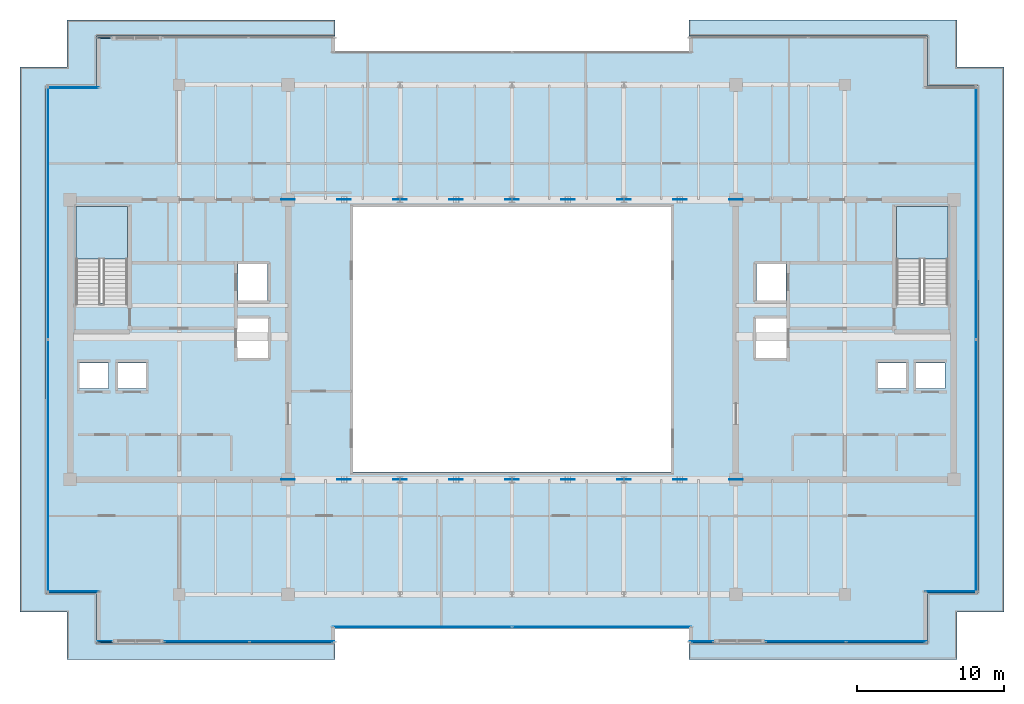
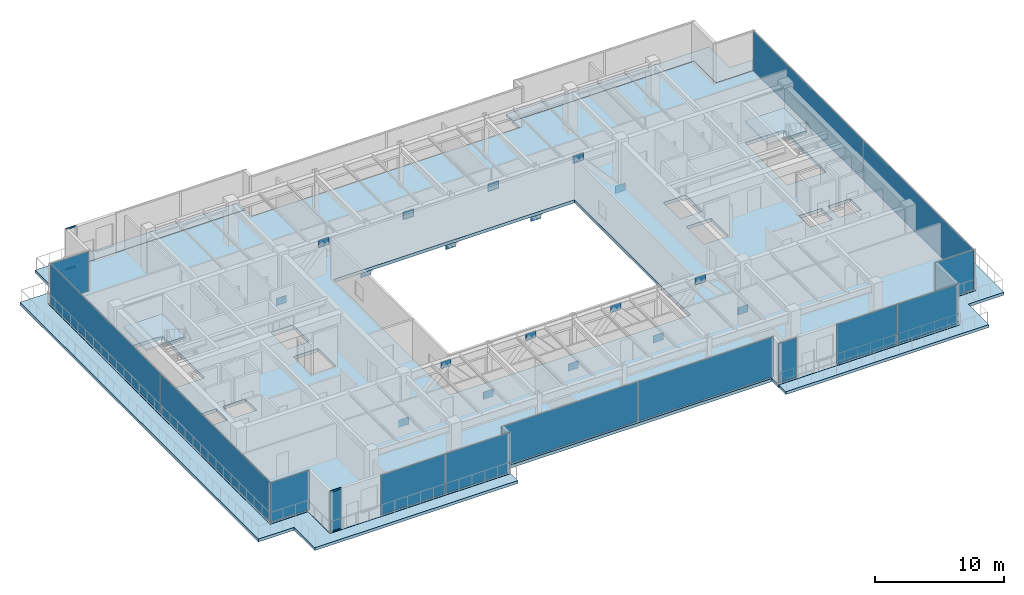
# One storey, part 25 of 34: 33 plates, 5 slabs, 4 members, 13 elements without a shape of their own.
"""IFC4 building model written with IfcOpenShell, lengths in metres."""

from ifc_helpers import new_model, si_unit, direction, frame, origin, origin_2d, place, context, subcontext, project, spatial, polyline, rectangle, hollow_rectangle, outline, extrude, source, transform, mapped, material, layer, layer_set, material_profile, profile_set, type_object, type_shapes, element, aggregate, save


model = new_model("IFC4")

# Units and contexts
model_context = context("Model", 3, precision=1e-05, world=origin(), true_north=direction((0.0, 1.0)))
body_context = subcontext(model_context, "Body", "Model", "MODEL_VIEW")
ifc_project = project(units=[si_unit("LENGTHUNIT", "METRE"), si_unit("AREAUNIT", "SQUARE_METRE"), si_unit("VOLUMEUNIT", "CUBIC_METRE"), si_unit("PLANEANGLEUNIT", "RADIAN"), si_unit("MASSUNIT", "GRAM", prefix="KILO")], contexts=[model_context])

# Site, building, storey
site_placement = place(None, origin())
site = spatial("IfcSite", under=ifc_project, at=site_placement, CompositionType="ELEMENT")
building_placement = place(site_placement, origin())
building = spatial("IfcBuilding", under=site, at=building_placement, Name="Haelvirn Gate Laboratories", CompositionType="ELEMENT")
storey_placement = place(building_placement, frame((0.0, 0.0, 297.60009765625)))
storey = spatial("IfcBuildingStorey", under=building, at=storey_placement, Name="L71", CompositionType="ELEMENT", Elevation=297.60009765625)

# Curtain wall, members
ifc_material_1 = material(Name="Anodised bronze unitised aluminium & triple low-E glass", Category="aluminium")
ifc_layer_1 = layer(ifc_material_1, 0.176025390625, Name="CW-SYS-4")
ifc_layer_set_1 = layer_set([ifc_layer_1], Name="Anodised bronze unitised aluminium & triple low-E glass")
curtain_wall_type_1 = type_object("IfcCurtainWallType", Name="CW-SYS-4", PredefinedType="NOTDEFINED", material=ifc_layer_set_1)
curtain_wall_1_placement = place(storey_placement, origin())
curtain_wall_1 = element("IfcCurtainWall", 1, at=curtain_wall_1_placement, inside=storey, type_object=curtain_wall_type_1, Name="L71 Unitised Curtain Wall CW-L71-P0-E00-1", PredefinedType="NOTDEFINED")
ifc_material_2 = material(Name="Extruded aluminium 6063-T6 (anodised bronze)", Category="aluminium")
ifc_material_profile = material_profile(ifc_material_2, hollow_rectangle(XDim=0.06494140625, YDim=0.139892578125, WallThickness=0.00390625, at=origin_2d()), Name="CWT-140x65x4")
ifc_profile_set = profile_set([ifc_material_profile], Name="Extruded aluminium 6063-T6 (anodised bronze)")
member_type = type_object("IfcMemberType", Name="CWT-T140", PredefinedType="USERDEFINED", material=ifc_profile_set)
shared_shape_1 = source(origin(), body_context, "Body", "SweptSolid", [
    extrude(hollow_rectangle(XDim=0.06494140625, YDim=0.139892578125, WallThickness=0.00390625, at=origin_2d()), origin(), (0.0, 0.0, 1.0), 0.965087890625),
])
member_1_placement = place(storey_placement, frame((9.27001953125, 3.800048828125, 0.032470703125), z_axis=(1.0, 0.0, 0.0), x_axis=(0.0, 1.0, 0.0)))
member_1 = element("IfcMember", 2, at=member_1_placement, type_object=member_type, Name="CW4 transom 1.1", ObjectType="TRANSOM", PredefinedType="USERDEFINED", context=body_context, shape_type="MappedRepresentation", body=[
    mapped(shared_shape_1, transform((0.0, 0.0, 0.0), scale=1.0)),
])
member_2_placement = place(storey_placement, frame((9.27001953125, 3.800048828125, 3.867431640625), z_axis=(1.0, 0.0, 0.0), x_axis=(0.0, 1.0, 0.0)))
member_2 = element("IfcMember", 3, at=member_2_placement, type_object=member_type, Name="CW4 transom 1.2", ObjectType="TRANSOM", PredefinedType="USERDEFINED", context=body_context, shape_type="MappedRepresentation", body=[
    mapped(shared_shape_1, transform((0.0, 0.0, 0.0), scale=1.0)),
])

curtain_wall_2_placement = place(storey_placement, origin())
curtain_wall_2 = element("IfcCurtainWall", 4, at=curtain_wall_2_placement, inside=storey, type_object=curtain_wall_type_1, Name="L71 Unitised Curtain Wall CW-L71-P0-E14-1", PredefinedType="NOTDEFINED")
shared_shape_2 = source(origin(), body_context, "Body", "SweptSolid", [
    extrude(hollow_rectangle(XDim=0.06494140625, YDim=0.139892578125, WallThickness=0.00390625, at=origin_2d()), origin(), (0.0, 0.0, 1.0), 0.864990234375),
])
type_shapes(member_type, [shared_shape_1, shared_shape_2])
member_3_placement = place(storey_placement, frame((9.27001953125, 44.800048828125, 0.032470703125), z_axis=(1.0, 0.0, 0.0), x_axis=(0.0, 1.0, 0.0)))
member_3 = element("IfcMember", 5, at=member_3_placement, type_object=member_type, Name="CW4 transom 1.1", ObjectType="TRANSOM", PredefinedType="USERDEFINED", context=body_context, shape_type="MappedRepresentation", body=[
    mapped(shared_shape_2, transform((0.0, 0.0, 0.0), scale=1.0)),
])
member_4_placement = place(storey_placement, frame((9.27001953125, 44.800048828125, 3.867431640625), z_axis=(1.0, 0.0, 0.0), x_axis=(0.0, 1.0, 0.0)))
member_4 = element("IfcMember", 6, at=member_4_placement, type_object=member_type, Name="CW4 transom 1.2", ObjectType="TRANSOM", PredefinedType="USERDEFINED", context=body_context, shape_type="MappedRepresentation", body=[
    mapped(shared_shape_2, transform((0.0, 0.0, 0.0), scale=1.0)),
])
aggregate(curtain_wall_2, [member_3, member_4])

# Slabs
ifc_material_3 = material(Name="Concrete C40/50", Category="concrete")
ifc_layer_2 = layer(ifc_material_3, 0.27001953125, Name="SL-SETB-270")
ifc_layer_set_2 = layer_set([ifc_layer_2], Name="Concrete C40/50")
slab_type_1 = type_object("IfcSlabType", Name="SL-SETB-270", PredefinedType="ROOF", material=ifc_layer_set_2)
slab_1_placement = place(storey_placement, frame((0.0, 0.0, -0.27001953125)))
element("IfcSlab", 7, at=slab_1_placement, inside=storey, type_object=slab_type_1, Name="L71 Setback Roof Terrace Deck 1", PredefinedType="ROOF", context=body_context, shape_type="SweptSolid", body=[
    extrude(outline(polyline([(7.199951171875, 2.60009765625), (7.199951171875, 5.800048828125), (4.0, 5.800048828125), (4.0, 42.800048828125), (7.199951171875, 42.800048828125), (7.199951171875, 46.0), (25.39990234375, 46.0), (25.39990234375, 44.919921875), (9.199951171875, 44.919921875), (9.197998046875, 44.919921875), (9.196044921875, 44.919677734375), (9.194091796875, 44.919189453125), (9.1923828125, 44.91845703125), (9.190673828125, 44.91748046875), (9.18896484375, 44.91650390625), (9.187255859375, 44.91552734375), (9.185791015625, 44.9140625), (9.1845703125, 44.91259765625), (9.183349609375, 44.9111328125), (9.182373046875, 44.909423828125), (9.181396484375, 44.90771484375), (9.180908203125, 44.90576171875), (9.180419921875, 44.90380859375), (9.18017578125, 44.902099609375), (9.179931640625, 44.89990234375), (9.179931640625, 41.52001953125), (5.800048828125, 41.52001953125), (5.798095703125, 41.52001953125), (5.796142578125, 41.51953125), (5.794189453125, 41.51904296875), (5.792236328125, 41.5185546875), (5.79052734375, 41.517578125), (5.788818359375, 41.5166015625), (5.787353515625, 41.515380859375), (5.785888671875, 41.51416015625), (5.784423828125, 41.5126953125), (5.783447265625, 41.510986328125), (5.782470703125, 41.509521484375), (5.781494140625, 41.5078125), (5.781005859375, 41.505859375), (5.780517578125, 41.50390625), (5.780029296875, 41.501953125), (5.780029296875, 41.5), (5.780029296875, 7.10009765625), (5.780029296875, 7.097900390625), (5.780517578125, 7.09619140625), (5.781005859375, 7.09423828125), (5.781494140625, 7.09228515625), (5.782470703125, 7.090576171875), (5.783447265625, 7.0888671875), (5.784423828125, 7.08740234375), (5.785888671875, 7.0859375), (5.787353515625, 7.08447265625), (5.788818359375, 7.08349609375), (5.79052734375, 7.08251953125), (5.792236328125, 7.08154296875), (5.794189453125, 7.080810546875), (5.796142578125, 7.080322265625), (5.798095703125, 7.080078125), (5.800048828125, 7.080078125), (9.179931640625, 7.080078125), (9.179931640625, 3.699951171875), (9.18017578125, 3.697998046875), (9.180419921875, 3.696044921875), (9.180908203125, 3.694091796875), (9.181396484375, 3.6923828125), (9.182373046875, 3.690673828125), (9.183349609375, 3.68896484375), (9.1845703125, 3.687255859375), (9.185791015625, 3.685791015625), (9.187255859375, 3.6845703125), (9.18896484375, 3.683349609375), (9.190673828125, 3.682373046875), (9.1923828125, 3.681396484375), (9.194091796875, 3.680908203125), (9.196044921875, 3.680419921875), (9.197998046875, 3.68017578125), (9.199951171875, 3.679931640625), (25.39990234375, 3.679931640625), (25.39990234375, 2.60009765625), (7.199951171875, 2.60009765625)])), origin(), (0.0, 0.0, 1.0), 0.27001953125),
])
slab_2_placement = place(storey_placement, frame((0.0, 0.0, -0.27001953125)))
element("IfcSlab", 8, at=slab_2_placement, inside=storey, type_object=slab_type_1, Name="L71 Setback Roof Terrace Deck 2", PredefinedType="ROOF", context=body_context, shape_type="SweptSolid", body=[
    extrude(outline(polyline([(67.60009765625, 46.0), (67.60009765625, 42.800048828125), (70.800048828125, 42.800048828125), (70.800048828125, 5.800048828125), (67.60009765625, 5.800048828125), (67.60009765625, 2.60009765625), (49.39990234375, 2.60009765625), (49.39990234375, 3.679931640625), (65.60009765625, 3.679931640625), (65.60205078125, 3.68017578125), (65.60400390625, 3.680419921875), (65.605712890625, 3.680908203125), (65.607666015625, 3.681396484375), (65.609375, 3.682373046875), (65.611083984375, 3.683349609375), (65.61279296875, 3.6845703125), (65.614013671875, 3.685791015625), (65.615478515625, 3.687255859375), (65.61669921875, 3.68896484375), (65.61767578125, 3.690673828125), (65.618408203125, 3.6923828125), (65.619140625, 3.694091796875), (65.61962890625, 3.696044921875), (65.619873046875, 3.697998046875), (65.6201171875, 3.699951171875), (65.6201171875, 7.080078125), (69.0, 7.080078125), (69.001953125, 7.080078125), (69.00390625, 7.080322265625), (69.005859375, 7.080810546875), (69.0078125, 7.08154296875), (69.009521484375, 7.08251953125), (69.010986328125, 7.08349609375), (69.0126953125, 7.08447265625), (69.01416015625, 7.0859375), (69.015380859375, 7.08740234375), (69.0166015625, 7.0888671875), (69.017578125, 7.090576171875), (69.0185546875, 7.09228515625), (69.01904296875, 7.09423828125), (69.01953125, 7.09619140625), (69.02001953125, 7.097900390625), (69.02001953125, 7.10009765625), (69.02001953125, 41.5), (69.02001953125, 41.501953125), (69.01953125, 41.50390625), (69.01904296875, 41.505859375), (69.0185546875, 41.5078125), (69.017578125, 41.509521484375), (69.0166015625, 41.510986328125), (69.015380859375, 41.5126953125), (69.01416015625, 41.51416015625), (69.0126953125, 41.515380859375), (69.010986328125, 41.5166015625), (69.009521484375, 41.517578125), (69.0078125, 41.5185546875), (69.005859375, 41.51904296875), (69.00390625, 41.51953125), (69.001953125, 41.52001953125), (69.0, 41.52001953125), (65.6201171875, 41.52001953125), (65.6201171875, 44.89990234375), (65.619873046875, 44.902099609375), (65.61962890625, 44.90380859375), (65.619140625, 44.90576171875), (65.618408203125, 44.90771484375), (65.61767578125, 44.909423828125), (65.61669921875, 44.9111328125), (65.615478515625, 44.91259765625), (65.614013671875, 44.9140625), (65.61279296875, 44.91552734375), (65.611083984375, 44.91650390625), (65.609375, 44.91748046875), (65.607666015625, 44.91845703125), (65.605712890625, 44.919189453125), (65.60400390625, 44.919677734375), (65.60205078125, 44.919921875), (65.60009765625, 44.919921875), (49.39990234375, 44.919921875), (49.39990234375, 46.0), (67.60009765625, 46.0)])), origin(), (0.0, 0.0, 1.0), 0.27001953125),
])

# Stair, slab
stair_type = type_object("IfcStairType", Name="ST-DOG-1650-R24", PredefinedType="HALF_TURN_STAIR", material=ifc_material_3)
stair_1_placement = place(storey_placement, origin())
stair_1 = element("IfcStair", 9, at=stair_1_placement, inside=storey, type_object=stair_type, Name="L71 Escape Stair ST1", PredefinedType="HALF_TURN_STAIR")
ifc_layer_3 = layer(ifc_material_3, 0.199951171875, Name="SL-STAIR-LND")
ifc_layer_set_3 = layer_set([ifc_layer_3], Name="Concrete C40/50")
slab_type_2 = type_object("IfcSlabType", Name="SL-STAIR-LND", PredefinedType="LANDING", material=ifc_layer_set_3)
slab_3_placement = place(storey_placement, frame((0.0, 0.0, 1.89990234375)))
slab_3 = element("IfcSlab", 10, at=slab_3_placement, type_object=slab_type_2, Name="ST1 landing 1", PredefinedType="LANDING", context=body_context, shape_type="SweptSolid", body=[
    extrude(outline(polyline([(11.300048828125, 29.780029296875), (11.300048828125, 33.35009765625), (7.800048828125, 33.35009765625), (7.800048828125, 29.780029296875), (11.300048828125, 29.780029296875)])), origin(), (0.0, 0.0, 1.0), 0.199951171875),
])
aggregate(stair_1, [slab_3])

stair_2_placement = place(storey_placement, origin())
stair_2 = element("IfcStair", 11, at=stair_2_placement, inside=storey, type_object=stair_type, Name="L71 Escape Stair ST2", PredefinedType="HALF_TURN_STAIR")
slab_4_placement = place(storey_placement, frame((0.0, 0.0, 1.89990234375)))
slab_4 = element("IfcSlab", 12, at=slab_4_placement, type_object=slab_type_2, Name="ST2 landing 1", PredefinedType="LANDING", context=body_context, shape_type="SweptSolid", body=[
    extrude(outline(polyline([(67.0, 29.780029296875), (67.0, 33.35009765625), (63.5, 33.35009765625), (63.5, 29.780029296875), (67.0, 29.780029296875)])), origin(), (0.0, 0.0, 1.0), 0.199951171875),
])
aggregate(stair_2, [slab_4])

# Slab
ifc_layer_4 = layer(ifc_material_3, 0.300048828125, Name="SL-Z3-300")
ifc_layer_set_4 = layer_set([ifc_layer_4], Name="Concrete C40/50")
slab_type_3 = type_object("IfcSlabType", Name="SL-Z3-300", PredefinedType="FLOOR", material=ifc_layer_set_4)
slab_5_placement = place(storey_placement, frame((0.0, 0.0, -0.300048828125)))
element("IfcSlab", 13, at=slab_5_placement, inside=storey, type_object=slab_type_3, Name="L71 Structural Slab MAIN", PredefinedType="FLOOR", context=body_context, shape_type="SweptSolid", body=[
    extrude(outline(polyline([(9.199951171875, 3.699951171875), (25.39990234375, 3.699951171875), (25.39990234375, 4.699951171875), (49.39990234375, 4.699951171875), (49.39990234375, 3.699951171875), (65.60009765625, 3.699951171875), (65.60009765625, 7.10009765625), (69.0, 7.10009765625), (69.0, 41.5), (65.60009765625, 41.5), (65.60009765625, 44.89990234375), (49.39990234375, 44.89990234375), (49.39990234375, 43.89990234375), (25.39990234375, 43.89990234375), (25.39990234375, 44.89990234375), (9.199951171875, 44.89990234375), (9.199951171875, 41.5), (5.800048828125, 41.5), (5.800048828125, 7.10009765625), (9.199951171875, 7.10009765625), (9.199951171875, 3.699951171875)]), holes=[polyline([(26.60009765625, 15.300048828125), (48.199951171875, 15.300048828125), (48.199951171875, 33.300048828125), (26.60009765625, 33.300048828125), (26.60009765625, 15.300048828125)]), polyline([(11.300048828125, 26.780029296875), (11.300048828125, 33.35009765625), (7.800048828125, 33.35009765625), (7.800048828125, 26.780029296875), (11.300048828125, 26.780029296875)]), polyline([(67.0, 26.780029296875), (67.0, 33.35009765625), (63.5, 33.35009765625), (63.5, 26.780029296875), (67.0, 26.780029296875)]), polyline([(7.989990234375, 20.969970703125), (10.010009765625, 20.969970703125), (10.010009765625, 22.7099609375), (7.989990234375, 22.7099609375), (7.989990234375, 20.969970703125)]), polyline([(10.590087890625, 20.969970703125), (12.610107421875, 20.969970703125), (12.610107421875, 22.7099609375), (10.590087890625, 22.7099609375), (10.590087890625, 20.969970703125)]), polyline([(18.7900390625, 26.969970703125), (20.81005859375, 26.969970703125), (20.81005859375, 29.510009765625), (18.7900390625, 29.510009765625), (18.7900390625, 26.969970703125)]), polyline([(18.68994140625, 23.070068359375), (20.909912109375, 23.070068359375), (20.909912109375, 25.81005859375), (18.68994140625, 25.81005859375), (18.68994140625, 23.070068359375)]), polyline([(64.7900390625, 20.969970703125), (66.81005859375, 20.969970703125), (66.81005859375, 22.7099609375), (64.7900390625, 22.7099609375), (64.7900390625, 20.969970703125)]), polyline([(62.18994140625, 20.969970703125), (64.2099609375, 20.969970703125), (64.2099609375, 22.7099609375), (62.18994140625, 22.7099609375), (62.18994140625, 20.969970703125)]), polyline([(53.989990234375, 26.969970703125), (56.010009765625, 26.969970703125), (56.010009765625, 29.510009765625), (53.989990234375, 29.510009765625), (53.989990234375, 26.969970703125)]), polyline([(53.889892578125, 23.070068359375), (56.110107421875, 23.070068359375), (56.110107421875, 25.81005859375), (53.889892578125, 25.81005859375), (53.889892578125, 23.070068359375)])]), origin(), (0.0, 0.0, 1.0), 0.300048828125),
])

# Plates
ifc_material_4 = material(Name="Steel SM420", Category="steel")
ifc_layer_5 = layer(ifc_material_4, 0.033935546875, Name="PL-NODE-AN2")
ifc_layer_set_5 = layer_set([ifc_layer_5], Name="Steel SM420")
plate_type_1 = type_object("IfcPlateType", Name="PL-NODE-AN2", PredefinedType="USERDEFINED", material=ifc_layer_set_5)
shared_shape_3 = source(origin(), body_context, "Body", "SweptSolid", [
    extrude(rectangle(XDim=0.919921875, YDim=0.033935546875, at=origin_2d()), origin(), (0.0, 0.0, 1.0), 0.699951171875),
])
type_shapes(plate_type_1, [shared_shape_3])
for number, where, z_axis, x_axis, name in (
    (14, (22.199951171875, 14.800048828125, -1.10009765625), (0.0, 0.0, 1.0), (1.0, 0.0, 0.0), "L71 Steel Truss Node Plate AN2"),
    (15, (26.0, 14.800048828125, 3.10009765625), (0.0, 0.0, 1.0), (1.0, 0.0, 0.0), "L71 Steel Truss Node Plate AN2"),
    (16, (29.800048828125, 14.800048828125, -1.10009765625), (0.0, 0.0, 1.0), (1.0, 0.0, 0.0), "L71 Steel Truss Node Plate AN2"),
    (17, (33.60009765625, 14.800048828125, 3.10009765625), (0.0, 0.0, 1.0), (1.0, 0.0, 0.0), "L71 Steel Truss Node Plate AN2"),
    (18, (37.39990234375, 14.800048828125, -1.10009765625), (0.0, 0.0, 1.0), (1.0, 0.0, 0.0), "L71 Steel Truss Node Plate AN2"),
    (19, (41.199951171875, 14.800048828125, 3.10009765625), (0.0, 0.0, 1.0), (1.0, 0.0, 0.0), "L71 Steel Truss Node Plate AN2"),
    (20, (45.0, 14.800048828125, -1.10009765625), (0.0, 0.0, 1.0), (1.0, 0.0, 0.0), "L71 Steel Truss Node Plate AN2"),
    (21, (48.800048828125, 14.800048828125, 3.10009765625), (0.0, 0.0, 1.0), (1.0, 0.0, 0.0), "L71 Steel Truss Node Plate AN2"),
    (22, (52.60009765625, 14.800048828125, -1.10009765625), (0.0, 0.0, 1.0), (1.0, 0.0, 0.0), "L71 Steel Truss Node Plate AN2"),
    (23, (22.199951171875, 33.800048828125, -1.10009765625), (0.0, 0.0, 1.0), (1.0, 0.0, 0.0), "L71 Steel Truss Node Plate AN2"),
    (24, (26.0, 33.800048828125, 3.10009765625), (0.0, 0.0, 1.0), (1.0, 0.0, 0.0), "L71 Steel Truss Node Plate AN2"),
    (25, (29.800048828125, 33.800048828125, -1.10009765625), (0.0, 0.0, 1.0), (1.0, 0.0, 0.0), "L71 Steel Truss Node Plate AN2"),
    (26, (33.60009765625, 33.800048828125, 3.10009765625), (0.0, 0.0, 1.0), (1.0, 0.0, 0.0), "L71 Steel Truss Node Plate AN2"),
    (27, (37.39990234375, 33.800048828125, -1.10009765625), (0.0, 0.0, 1.0), (1.0, 0.0, 0.0), "L71 Steel Truss Node Plate AN2"),
    (28, (41.199951171875, 33.800048828125, 3.10009765625), (0.0, 0.0, 1.0), (1.0, 0.0, 0.0), "L71 Steel Truss Node Plate AN2"),
    (29, (45.0, 33.800048828125, -1.10009765625), (0.0, 0.0, 1.0), (1.0, 0.0, 0.0), "L71 Steel Truss Node Plate AN2"),
    (30, (48.800048828125, 33.800048828125, 3.10009765625), (0.0, 0.0, 1.0), (1.0, 0.0, 0.0), "L71 Steel Truss Node Plate AN2"),
    (31, (52.60009765625, 33.800048828125, -1.10009765625), (0.0, 0.0, 1.0), (1.0, 0.0, 0.0), "L71 Steel Truss Node Plate AN2"),
):
    element("IfcPlate", number, at=place(storey_placement, frame(where, z_axis=z_axis, x_axis=x_axis)), inside=storey, type_object=plate_type_1, Name=name, ObjectType="GUSSET_PLATE", PredefinedType="USERDEFINED", context=body_context, shape_type="MappedRepresentation", body=[
        mapped(shared_shape_3, transform((0.0, 0.0, 0.0), scale=1.0)),
    ])

# Plate
ifc_material_5 = material(Name="Acoustic laminated bronze triple IGU 36 mm", Category="glass")
ifc_layer_6 = layer(ifc_material_5, 0.035888671875, Name="CWP-IGU-36")
ifc_layer_set_6 = layer_set([ifc_layer_6], Name="Acoustic laminated bronze triple IGU 36 mm")
plate_type_2 = type_object("IfcPlateType", Name="CWP-IGU-36", PredefinedType="CURTAIN_PANEL", material=ifc_layer_set_6)
shared_shape_4 = source(origin(), body_context, "Body", "SweptSolid", [
    extrude(rectangle(XDim=0.965087890625, YDim=0.035888671875, at=origin_2d()), origin(), (0.0, 0.0, 1.0), 3.77001953125),
])
plate_1_placement = place(storey_placement, frame((9.75244140625, 3.800048828125, 0.06494140625), z_axis=(0.0, 0.0, 1.0), x_axis=(1.0, 0.0, 0.0)))
plate_1 = element("IfcPlate", 32, at=plate_1_placement, type_object=plate_type_2, Name="CW4 panel 1.1", PredefinedType="CURTAIN_PANEL", context=body_context, shape_type="MappedRepresentation", body=[
    mapped(shared_shape_4, transform((0.0, 0.0, 0.0), scale=1.0)),
])

aggregate(curtain_wall_1, [member_1, member_2, plate_1])

# Curtain wall, plates
curtain_wall_3_placement = place(storey_placement, origin())
curtain_wall_3 = element("IfcCurtainWall", 33, at=curtain_wall_3_placement, inside=storey, type_object=curtain_wall_type_1, Name="L71 Unitised Curtain Wall CW-L71-P0-E00-2", PredefinedType="NOTDEFINED")
shared_shape_5 = source(origin(), body_context, "Body", "SweptSolid", [
    extrude(rectangle(XDim=5.722412109375, YDim=0.035888671875, at=origin_2d()), origin(), (0.0, 0.0, 1.0), 3.77001953125),
])
plate_2_placement = place(storey_placement, frame((16.67626953125, 3.800048828125, 0.06494140625), z_axis=(0.0, 0.0, 1.0), x_axis=(1.0, 0.0, 0.0)))
plate_2 = element("IfcPlate", 34, at=plate_2_placement, type_object=plate_type_2, Name="CW4 panel 1.1", PredefinedType="CURTAIN_PANEL", context=body_context, shape_type="MappedRepresentation", body=[
    mapped(shared_shape_5, transform((0.0, 0.0, 0.0), scale=1.0)),
])
plate_3_placement = place(storey_placement, frame((22.46875, 3.800048828125, 0.06494140625), z_axis=(0.0, 0.0, 1.0), x_axis=(1.0, 0.0, 0.0)))
plate_3 = element("IfcPlate", 35, at=plate_3_placement, type_object=plate_type_2, Name="CW4 panel 2.1", PredefinedType="CURTAIN_PANEL", context=body_context, shape_type="MappedRepresentation", body=[
    mapped(shared_shape_5, transform((0.0, 0.0, 0.0), scale=1.0)),
])
aggregate(curtain_wall_3, [plate_2, plate_3])

curtain_wall_4_placement = place(storey_placement, origin())
curtain_wall_4 = element("IfcCurtainWall", 36, at=curtain_wall_4_placement, inside=storey, type_object=curtain_wall_type_1, Name="L71 Unitised Curtain Wall CW-L71-P0-E02-1", PredefinedType="NOTDEFINED")
shared_shape_6 = source(origin(), body_context, "Body", "SweptSolid", [
    extrude(rectangle(XDim=12.135009765625, YDim=0.035888671875, at=origin_2d()), origin(), (0.0, 0.0, 1.0), 3.77001953125),
])
plate_4_placement = place(storey_placement, frame((31.297607421875, 4.800048828125, 0.06494140625), z_axis=(0.0, 0.0, 1.0), x_axis=(1.0, 0.0, 0.0)))
plate_4 = element("IfcPlate", 37, at=plate_4_placement, type_object=plate_type_2, Name="CW4 panel 1.1", PredefinedType="CURTAIN_PANEL", context=body_context, shape_type="MappedRepresentation", body=[
    mapped(shared_shape_6, transform((0.0, 0.0, 0.0), scale=1.0)),
])
plate_5_placement = place(storey_placement, frame((43.50244140625, 4.800048828125, 0.06494140625), z_axis=(0.0, 0.0, 1.0), x_axis=(1.0, 0.0, 0.0)))
plate_5 = element("IfcPlate", 38, at=plate_5_placement, type_object=plate_type_2, Name="CW4 panel 2.1", PredefinedType="CURTAIN_PANEL", context=body_context, shape_type="MappedRepresentation", body=[
    mapped(shared_shape_6, transform((0.0, 0.0, 0.0), scale=1.0)),
])
aggregate(curtain_wall_4, [plate_4, plate_5])

# Curtain wall, plate
curtain_wall_5_placement = place(storey_placement, origin())
curtain_wall_5 = element("IfcCurtainWall", 39, at=curtain_wall_5_placement, inside=storey, type_object=curtain_wall_type_1, Name="L71 Unitised Curtain Wall CW-L71-P0-E04-1", PredefinedType="NOTDEFINED")
shared_shape_7 = source(origin(), body_context, "Body", "SweptSolid", [
    extrude(rectangle(XDim=1.590087890625, YDim=0.035888671875, at=origin_2d()), origin(), (0.0, 0.0, 1.0), 3.77001953125),
])
plate_6_placement = place(storey_placement, frame((50.264892578125, 3.800048828125, 0.06494140625), z_axis=(0.0, 0.0, 1.0), x_axis=(1.0, 0.0, 0.0)))
plate_6 = element("IfcPlate", 40, at=plate_6_placement, type_object=plate_type_2, Name="CW4 panel 1.1", PredefinedType="CURTAIN_PANEL", context=body_context, shape_type="MappedRepresentation", body=[
    mapped(shared_shape_7, transform((0.0, 0.0, 0.0), scale=1.0)),
])
aggregate(curtain_wall_5, [plate_6])

# Curtain wall, plates
curtain_wall_6_placement = place(storey_placement, origin())
curtain_wall_6 = element("IfcCurtainWall", 41, at=curtain_wall_6_placement, inside=storey, type_object=curtain_wall_type_1, Name="L71 Unitised Curtain Wall CW-L71-P0-E04-2", PredefinedType="NOTDEFINED")
shared_shape_8 = source(origin(), body_context, "Body", "SweptSolid", [
    extrude(rectangle(XDim=5.409912109375, YDim=0.035888671875, at=origin_2d()), origin(), (0.0, 0.0, 1.0), 3.77001953125),
])
plate_7_placement = place(storey_placement, frame((57.344970703125, 3.800048828125, 0.06494140625), z_axis=(0.0, 0.0, 1.0), x_axis=(1.0, 0.0, 0.0)))
plate_7 = element("IfcPlate", 42, at=plate_7_placement, type_object=plate_type_2, Name="CW4 panel 1.1", PredefinedType="CURTAIN_PANEL", context=body_context, shape_type="MappedRepresentation", body=[
    mapped(shared_shape_8, transform((0.0, 0.0, 0.0), scale=1.0)),
])
plate_8_placement = place(storey_placement, frame((62.824951171875, 3.800048828125, 0.06494140625), z_axis=(0.0, 0.0, 1.0), x_axis=(1.0, 0.0, 0.0)))
plate_8 = element("IfcPlate", 43, at=plate_8_placement, type_object=plate_type_2, Name="CW4 panel 2.1", PredefinedType="CURTAIN_PANEL", context=body_context, shape_type="MappedRepresentation", body=[
    mapped(shared_shape_8, transform((0.0, 0.0, 0.0), scale=1.0)),
])
aggregate(curtain_wall_6, [plate_7, plate_8])

# Curtain wall, plate
ifc_layer_7 = layer(ifc_material_1, 0.181884765625, Name="CW-SYS-5")
ifc_layer_set_7 = layer_set([ifc_layer_7], Name="Anodised bronze unitised aluminium & triple low-E glass")
curtain_wall_type_2 = type_object("IfcCurtainWallType", Name="CW-SYS-5", PredefinedType="NOTDEFINED", material=ifc_layer_set_7)
curtain_wall_7_placement = place(storey_placement, origin())
curtain_wall_7 = element("IfcCurtainWall", 44, at=curtain_wall_7_placement, inside=storey, type_object=curtain_wall_type_2, Name="L71 Unitised Curtain Wall CW-L71-P0-E06-1", PredefinedType="NOTDEFINED")
ifc_material_6 = material(Name="Clear low-iron notched-corner triple IGU 42 mm", Category="glass")
ifc_layer_8 = layer(ifc_material_6, 0.0419921875, Name="CWP-NTC-42")
ifc_layer_set_8 = layer_set([ifc_layer_8], Name="Clear low-iron notched-corner triple IGU 42 mm")
plate_type_3 = type_object("IfcPlateType", Name="CWP-NTC-42", PredefinedType="CURTAIN_PANEL", material=ifc_layer_set_8)
shared_shape_9 = source(origin(), body_context, "Body", "SweptSolid", [
    extrude(rectangle(XDim=3.47998046875, YDim=0.0419921875, at=origin_2d()), origin(), (0.0, 0.0, 1.0), 3.77001953125),
])
type_shapes(plate_type_3, [shared_shape_9])
plate_9_placement = place(storey_placement, frame((67.179931640625, 7.199951171875, 0.06494140625), z_axis=(0.0, 0.0, 1.0), x_axis=(1.0, 0.0, 0.0)))
plate_9 = element("IfcPlate", 45, at=plate_9_placement, type_object=plate_type_3, Name="CW5 panel 1.1", PredefinedType="CURTAIN_PANEL", context=body_context, shape_type="MappedRepresentation", body=[
    mapped(shared_shape_9, transform((0.0, 0.0, 0.0), scale=1.0)),
])
aggregate(curtain_wall_7, [plate_9])

curtain_wall_8_placement = place(storey_placement, origin())
curtain_wall_8 = element("IfcCurtainWall", 46, at=curtain_wall_8_placement, inside=storey, type_object=curtain_wall_type_2, Name="L71 Unitised Curtain Wall CW-L71-P0-E16-1", PredefinedType="NOTDEFINED")
plate_10_placement = place(storey_placement, frame((7.6201171875, 41.39990234375, 0.06494140625), z_axis=(0.0, 0.0, 1.0), x_axis=(1.0, 0.0, 0.0)))
plate_10 = element("IfcPlate", 47, at=plate_10_placement, type_object=plate_type_3, Name="CW5 panel 1.1", PredefinedType="CURTAIN_PANEL", context=body_context, shape_type="MappedRepresentation", body=[
    mapped(shared_shape_9, transform((0.0, 0.0, 0.0), scale=1.0)),
])
aggregate(curtain_wall_8, [plate_10])

curtain_wall_9_placement = place(storey_placement, origin())
curtain_wall_9 = element("IfcCurtainWall", 48, at=curtain_wall_9_placement, inside=storey, type_object=curtain_wall_type_2, Name="L71 Unitised Curtain Wall CW-L71-P0-E18-1", PredefinedType="NOTDEFINED")
plate_11_placement = place(storey_placement, frame((7.6201171875, 7.199951171875, 0.06494140625), z_axis=(0.0, 0.0, 1.0), x_axis=(1.0, 0.0, 0.0)))
plate_11 = element("IfcPlate", 49, at=plate_11_placement, type_object=plate_type_3, Name="CW5 panel 1.1", PredefinedType="CURTAIN_PANEL", context=body_context, shape_type="MappedRepresentation", body=[
    mapped(shared_shape_9, transform((0.0, 0.0, 0.0), scale=1.0)),
])
aggregate(curtain_wall_9, [plate_11])

# Curtain wall, plates
curtain_wall_10_placement = place(storey_placement, origin())
curtain_wall_10 = element("IfcCurtainWall", 50, at=curtain_wall_10_placement, inside=storey, type_object=curtain_wall_type_1, Name="L71 Unitised Curtain Wall CW-L71-P0-E07", PredefinedType="NOTDEFINED")
shared_shape_10 = source(origin(), body_context, "Body", "SweptSolid", [
    extrude(rectangle(XDim=17.094970703125, YDim=0.035888671875, at=origin_2d()), origin(), (0.0, 0.0, 1.0), 3.77001953125),
])
type_shapes(plate_type_2, [shared_shape_4, shared_shape_5, shared_shape_6, shared_shape_7, shared_shape_8, shared_shape_10])
plate_12_placement = place(storey_placement, frame((68.89990234375, 15.717529296875, 0.06494140625), z_axis=(0.0, 0.0, 1.0), x_axis=(0.0, 1.0, 0.0)))
plate_12 = element("IfcPlate", 51, at=plate_12_placement, type_object=plate_type_2, Name="CW4 panel 1.1", PredefinedType="CURTAIN_PANEL", context=body_context, shape_type="MappedRepresentation", body=[
    mapped(shared_shape_10, transform((0.0, 0.0, 0.0), scale=1.0)),
])
plate_13_placement = place(storey_placement, frame((68.89990234375, 32.882568359375, 0.06494140625), z_axis=(0.0, 0.0, 1.0), x_axis=(0.0, 1.0, 0.0)))
plate_13 = element("IfcPlate", 52, at=plate_13_placement, type_object=plate_type_2, Name="CW4 panel 2.1", PredefinedType="CURTAIN_PANEL", context=body_context, shape_type="MappedRepresentation", body=[
    mapped(shared_shape_10, transform((0.0, 0.0, 0.0), scale=1.0)),
])
aggregate(curtain_wall_10, [plate_12, plate_13])

curtain_wall_11_placement = place(storey_placement, origin())
curtain_wall_11 = element("IfcCurtainWall", 53, at=curtain_wall_11_placement, inside=storey, type_object=curtain_wall_type_1, Name="L71 Unitised Curtain Wall CW-L71-P0-E17", PredefinedType="NOTDEFINED")
plate_14_placement = place(storey_placement, frame((5.89990234375, 32.882568359375, 0.06494140625), z_axis=(0.0, 0.0, 1.0), x_axis=(0.0, -1.0, 0.0)))
plate_14 = element("IfcPlate", 54, at=plate_14_placement, type_object=plate_type_2, Name="CW4 panel 1.1", PredefinedType="CURTAIN_PANEL", context=body_context, shape_type="MappedRepresentation", body=[
    mapped(shared_shape_10, transform((0.0, 0.0, 0.0), scale=1.0)),
])
plate_15_placement = place(storey_placement, frame((5.89990234375, 15.717529296875, 0.06494140625), z_axis=(0.0, 0.0, 1.0), x_axis=(0.0, -1.0, 0.0)))
plate_15 = element("IfcPlate", 55, at=plate_15_placement, type_object=plate_type_2, Name="CW4 panel 2.1", PredefinedType="CURTAIN_PANEL", context=body_context, shape_type="MappedRepresentation", body=[
    mapped(shared_shape_10, transform((0.0, 0.0, 0.0), scale=1.0)),
])
aggregate(curtain_wall_11, [plate_14, plate_15])

save(model, "model.ifc")
